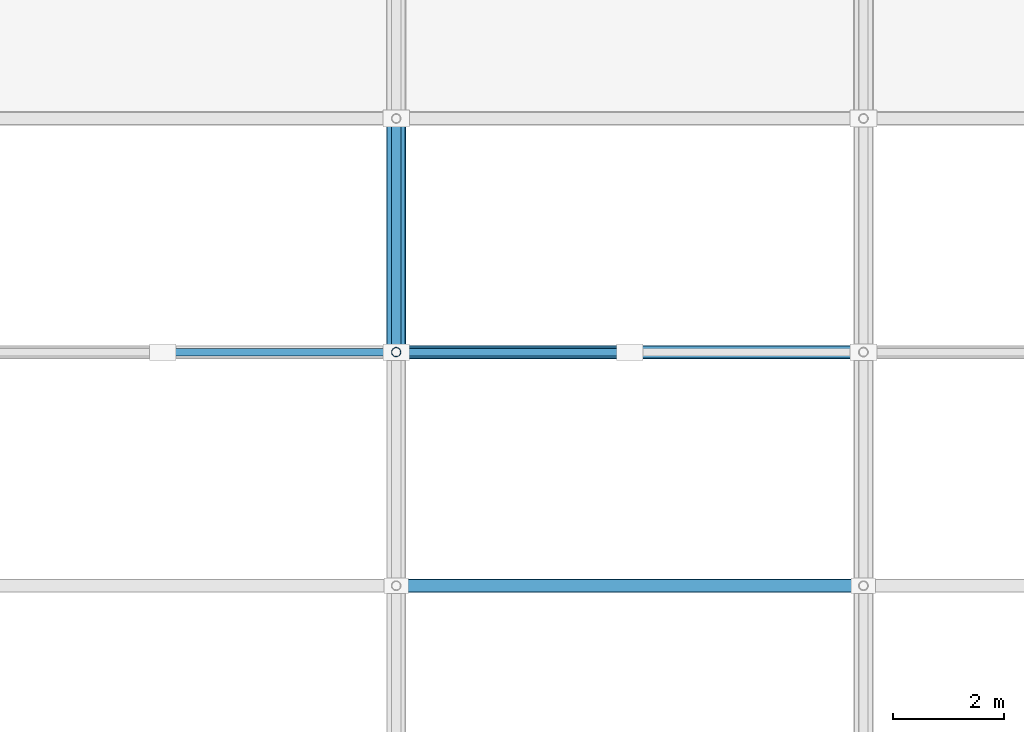
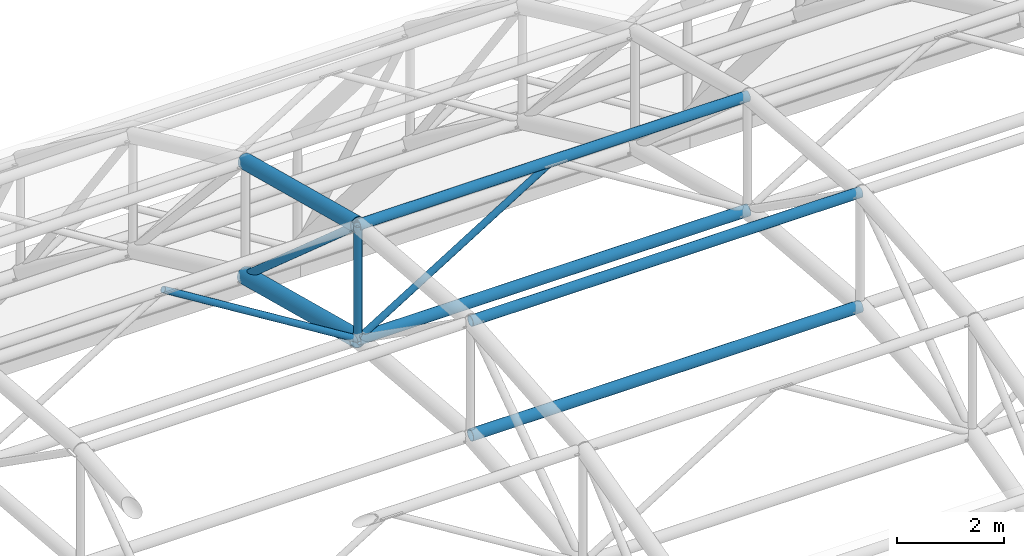
# One storey, part 14 of 103: 8 members, 2 beams.
"""IFC4 building model written with IfcOpenShell, lengths in metres."""

from ifc_helpers import new_model, si_unit, direction, frame, origin, origin_2d, place, context, subcontext, project, spatial, hollow_circle, extrude, material, material_profile, profile_set, type_object, element, save


model = new_model("IFC4")

# Units and contexts
model_context = context("Model", 3, precision=1e-05, world=origin(), true_north=direction((0.0, 1.0)))
body_context = subcontext(model_context, "Body", "Model", "MODEL_VIEW")
ifc_project = project(units=[si_unit("LENGTHUNIT", "METRE"), si_unit("AREAUNIT", "SQUARE_METRE"), si_unit("VOLUMEUNIT", "CUBIC_METRE"), si_unit("PLANEANGLEUNIT", "RADIAN"), si_unit("MASSUNIT", "GRAM", prefix="KILO")], contexts=[model_context])

# Site, building, storey
site_placement = place(None, origin())
site = spatial("IfcSite", under=ifc_project, at=site_placement, CompositionType="ELEMENT")
building_placement = place(site_placement, origin())
building = spatial("IfcBuilding", under=site, at=building_placement, Name="Varnapada Polytechnic", CompositionType="ELEMENT")
storey_placement = place(building_placement, frame((0.0, 0.0, 18.0)))
storey = spatial("IfcBuildingStorey", under=building, at=storey_placement, Name="L04", CompositionType="ELEMENT", Elevation=18.0)

# Members
ifc_material = material(Name="Steel S355", Category="steel")
ifc_material_profile_1 = material_profile(ifc_material, hollow_circle(Radius=0.122314453125, WallThickness=0.008056640625, at=origin_2d()), Name="CHS 244.5x8.0")
ifc_profile_set_1 = profile_set([ifc_material_profile_1], Name="Steel S355")
member_type_1 = type_object("IfcMemberType", Name="Vaulted space frame longitudinal bottom chord SFC-01 (CHS 244.5x8.0)", PredefinedType="CHORD", material=ifc_profile_set_1)
for number, where, z_axis, x_axis, name in (
    (1, (58.800048828125, 105.0, 11.435302734375), (1.0, 0.0, 0.0), (0.0, 1.0, 0.0), "Vaulted space frame longitudinal bottom chord 2.6"),
    (2, (58.800048828125, 109.199951171875, 11.080078125), (1.0, 0.0, 0.0), (0.0, 1.0, 0.0), "Vaulted space frame longitudinal bottom chord 2.7"),
):
    element("IfcMember", number, at=place(storey_placement, frame(where, z_axis=z_axis, x_axis=x_axis)), inside=storey, type_object=member_type_1, Name=name, PredefinedType="CHORD", context=body_context, shape_type="SweptSolid", body=[
        extrude(hollow_circle(Radius=0.122314453125, WallThickness=0.008056640625, at=origin_2d()), origin(), (0.0, 0.0, 1.0), 8.39990234375),
    ])
ifc_material_profile_2 = material_profile(ifc_material, hollow_circle(Radius=0.109619140625, WallThickness=0.008056640625, at=origin_2d()), Name="CHS 219.1x8.0")
ifc_profile_set_2 = profile_set([ifc_material_profile_2], Name="Steel S355")
member_type_2 = type_object("IfcMemberType", Name="Vaulted space frame longitudinal top chord SFC-02 (CHS 219.1x8.0)", PredefinedType="CHORD", material=ifc_profile_set_2)
for number, where, z_axis, x_axis, name in (
    (3, (58.800048828125, 105.0, 14.035400390625), (1.0, 0.0, 0.0), (0.0, 1.0, 0.0), "Vaulted space frame longitudinal top chord 2.6"),
    (4, (58.800048828125, 109.199951171875, 13.679931640625), (1.0, 0.0, 0.0), (0.0, 1.0, 0.0), "Vaulted space frame longitudinal top chord 2.7"),
):
    element("IfcMember", number, at=place(storey_placement, frame(where, z_axis=z_axis, x_axis=x_axis)), inside=storey, type_object=member_type_2, Name=name, PredefinedType="CHORD", context=body_context, shape_type="SweptSolid", body=[
        extrude(hollow_circle(Radius=0.109619140625, WallThickness=0.008056640625, at=origin_2d()), origin(), (0.0, 0.0, 1.0), 8.39990234375),
    ])

# Beam
ifc_material_profile_3 = material_profile(ifc_material, hollow_circle(Radius=0.177734375, WallThickness=0.012451171875, at=origin_2d()), Name="CHS 355.6x12.5")
ifc_profile_set_3 = profile_set([ifc_material_profile_3], Name="Steel S355")
beam_type_1 = type_object("IfcBeamType", Name="Vaulted space frame primary arch rib VA-01 (CHS 355.6x12.5)", PredefinedType="BEAM", material=ifc_profile_set_3)
beam_1_placement = place(storey_placement, frame((58.800048828125, 109.199951171875, 11.080078125), z_axis=(0.0, 0.967476176159, -0.252962148484), x_axis=(-1.0, 0.0, 0.0)))
element("IfcBeam", 5, at=beam_1_placement, inside=storey, type_object=beam_type_1, Name="Vaulted space frame bottom arch chord 2.7", PredefinedType="BEAM", context=body_context, shape_type="SweptSolid", body=[
    extrude(hollow_circle(Radius=0.177734375, WallThickness=0.012451171875, at=origin_2d()), origin(), (0.0, 0.0, 1.0), 4.341064453125),
])

# Members
ifc_material_profile_4 = material_profile(ifc_material, hollow_circle(Radius=0.084228515625, WallThickness=0.00634765625, at=origin_2d()), Name="CHS 168.3x6.3")
ifc_profile_set_4 = profile_set([ifc_material_profile_4], Name="Steel S355")
member_type_3 = type_object("IfcMemberType", Name="Vaulted space frame primary web diagonal SFB-01 (CHS 168.3x6.3)", PredefinedType="BRACE", material=ifc_profile_set_4)
member_1_placement = place(storey_placement, frame((58.800048828125, 109.199951171875, 13.679931640625), z_axis=(0.0, 0.750532603682, -0.660833421378), x_axis=(-1.0, 0.0, 0.0)))
element("IfcMember", 6, at=member_1_placement, inside=storey, type_object=member_type_3, Name="Vaulted space frame web diagonal 2.7", PredefinedType="BRACE", context=body_context, shape_type="SweptSolid", body=[
    extrude(hollow_circle(Radius=0.084228515625, WallThickness=0.00634765625, at=origin_2d()), origin(), (0.0, 0.0, 1.0), 5.595947265625),
])
ifc_material_profile_5 = material_profile(ifc_material, hollow_circle(Radius=0.084228515625, WallThickness=0.00634765625, at=origin_2d()), Name="CHS 168.3x6.3")
ifc_profile_set_5 = profile_set([ifc_material_profile_5], Name="Steel S355")
member_type_4 = type_object("IfcMemberType", Name="Vaulted space frame radial web strut SFS-01 (CHS 168.3x6.3)", PredefinedType="STRUT", material=ifc_profile_set_5)
member_2_placement = place(storey_placement, frame((58.800048828125, 109.199951171875, 11.080078125), z_axis=(0.0, 0.0, 1.0), x_axis=(1.0, 0.0, 0.0)))
element("IfcMember", 7, at=member_2_placement, inside=storey, type_object=member_type_4, Name="Vaulted space frame strut 2.7", PredefinedType="STRUT", context=body_context, shape_type="SweptSolid", body=[
    extrude(hollow_circle(Radius=0.084228515625, WallThickness=0.00634765625, at=origin_2d()), origin(), (0.0, 0.0, 1.0), 2.599853515625),
])
ifc_material_profile_6 = material_profile(ifc_material, hollow_circle(Radius=0.06982421875, WallThickness=0.0048828125, at=origin_2d()), Name="CHS 139.7x5.0")
ifc_profile_set_6 = profile_set([ifc_material_profile_6], Name="Steel S355")
member_type_5 = type_object("IfcMemberType", Name="Vaulted space frame secondary web diagonal SFB-02 (CHS 139.7x5.0)", PredefinedType="BRACE", material=ifc_profile_set_6)
for number, where, z_axis, x_axis, name in (
    (8, (58.800048828125, 109.199951171875, 11.080078125), (-0.85027567993, 0.0, 0.526337598999), (0.0, -1.0, 0.0), "Vaulted space frame longitudinal brace 1.7B"),
    (9, (58.800048828125, 109.199951171875, 11.080078125), (0.85027567993, 0.0, 0.526337598999), (0.0, 1.0, 0.0), "Vaulted space frame longitudinal brace 2.7A"),
):
    element("IfcMember", number, at=place(storey_placement, frame(where, z_axis=z_axis, x_axis=x_axis)), inside=storey, type_object=member_type_5, Name=name, PredefinedType="BRACE", context=body_context, shape_type="SweptSolid", body=[
        extrude(hollow_circle(Radius=0.06982421875, WallThickness=0.0048828125, at=origin_2d()), origin(), (0.0, 0.0, 1.0), 4.939453125),
    ])

# Beam
ifc_material_profile_7 = material_profile(ifc_material, hollow_circle(Radius=0.161865234375, WallThickness=0.010009765625, at=origin_2d()), Name="CHS 323.9x10.0")
ifc_profile_set_7 = profile_set([ifc_material_profile_7], Name="Steel S355")
beam_type_2 = type_object("IfcBeamType", Name="Vaulted space frame upper arch rib VA-02 (CHS 323.9x10.0)", PredefinedType="BEAM", material=ifc_profile_set_7)
beam_2_placement = place(storey_placement, frame((58.800048828125, 109.199951171875, 13.679931640625), z_axis=(0.0, 0.967476176159, -0.252962148484), x_axis=(-1.0, 0.0, 0.0)))
element("IfcBeam", 10, at=beam_2_placement, inside=storey, type_object=beam_type_2, Name="Vaulted space frame top arch chord 2.7", PredefinedType="BEAM", context=body_context, shape_type="SweptSolid", body=[
    extrude(hollow_circle(Radius=0.161865234375, WallThickness=0.010009765625, at=origin_2d()), origin(), (0.0, 0.0, 1.0), 4.341064453125),
])

save(model, "model.ifc")
